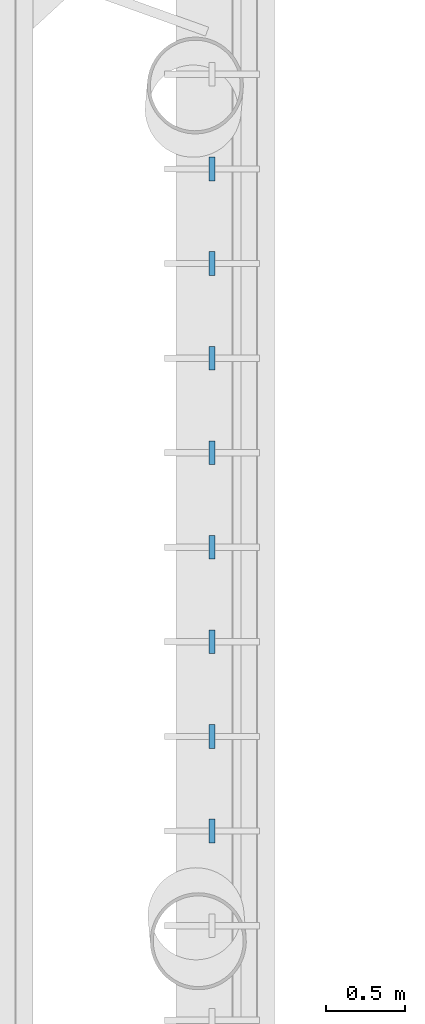
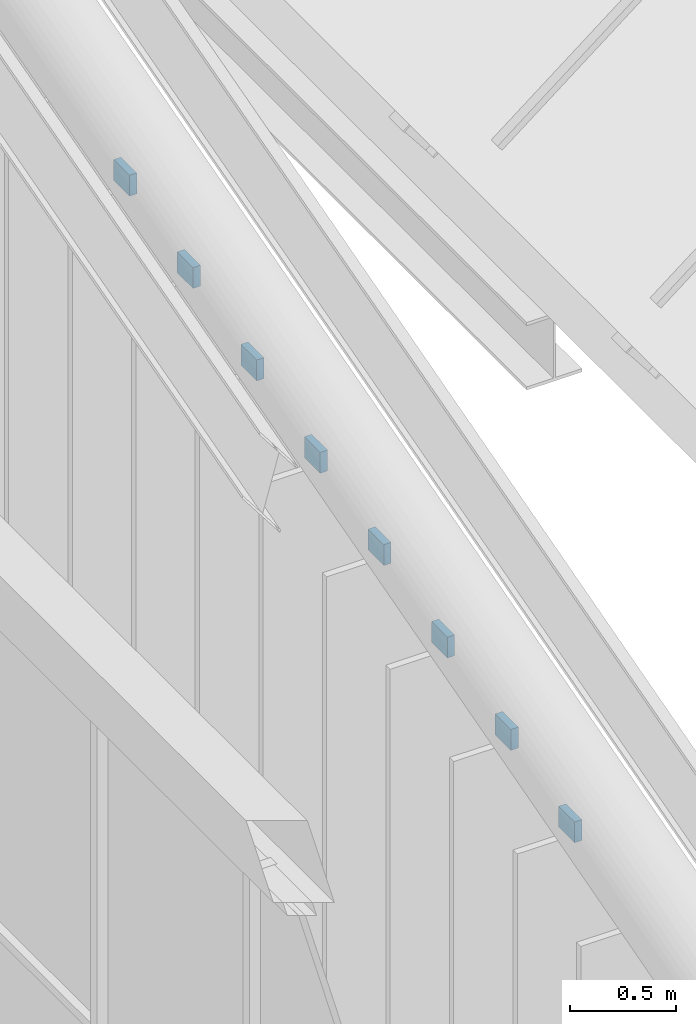
# One storey, part 93 of 126: 8 discrete accessories.
"""IFC4 building model written with IfcOpenShell, lengths in metres."""

import ifcopenshell
import ifcopenshell.guid

model = None  # the IFC model being written
_history = None  # IfcOwnerHistory: only IFC2X3 demands one
_inside = {}  # id of a spatial element -> (the spatial element, [elements in it])
_under = {}  # id of a project, library or spatial element -> (it, [spatial elements below it])
_declared = {}  # id of a project -> (the project, [libraries it declares])
_typed = {}  # id of a type object -> (the type object, [elements of that type])
_made_of = {}  # id of a material, layer set ... -> (it, [elements and type objects made of it])


def new_model(schema):
    """Start an empty IFC model of exactly this schema.

    Asked for "IFC4X3", IfcOpenShell would pick the latest addendum, in which some entities
    have other attributes; the version numbers below select the first issue.
    IFC2X3 requires an IfcOwnerHistory on every rooted entity: one is made here for all.
    """
    global model, _history
    if schema == "IFC4X3":
        model = ifcopenshell.file(schema_version=(4, 3, 0, 0))
    else:
        model = ifcopenshell.file(schema=schema)
    _inside.clear()
    _under.clear()
    _declared.clear()
    _typed.clear()
    _made_of.clear()
    _history = None
    if model.schema == "IFC2X3":
        org = make("IfcOrganization", Name="unknown")
        user = make(
            "IfcPersonAndOrganization",
            ThePerson=make("IfcPerson", FamilyName="unknown"),
            TheOrganization=org,
        )
        app = make(
            "IfcApplication",
            ApplicationDeveloper=org,
            Version="unknown",
            ApplicationFullName="unknown",
            ApplicationIdentifier="unknown",
        )
        _history = make(
            "IfcOwnerHistory",
            OwningUser=user,
            OwningApplication=app,
            ChangeAction="ADDED",
            CreationDate=0,
        )
    return model


def make(cls, **values):
    """One entity of the class cls with the attributes given. An attribute that is None is left unset."""
    return model.create_entity(
        cls, **{name: value for name, value in values.items() if value is not None}
    )


def rooted(cls, **values):
    """An entity with a GlobalId (a new one), such as an element, a storey or a relation."""
    return make(cls, GlobalId=ifcopenshell.guid.new(), OwnerHistory=_history, **values)


def si_unit(unit_type, name, prefix=None):
    """IfcSIUnit, for example si_unit("LENGTHUNIT", "METRE", prefix="MILLI")."""
    return make("IfcSIUnit", UnitType=unit_type, Prefix=prefix, Name=name)


def assignment(units):
    """IfcUnitAssignment: the units of a project."""
    return None if units is None else make("IfcUnitAssignment", Units=units)


def point(xyz):
    """IfcCartesianPoint."""
    return None if xyz is None else make("IfcCartesianPoint", Coordinates=xyz)


def direction(xyz):
    """IfcDirection."""
    return None if xyz is None else make("IfcDirection", DirectionRatios=xyz)


def frame(location, z_axis=None, x_axis=None):
    """IfcAxis2Placement3D, a coordinate frame: its origin and axes. An axis left out is left unset."""
    return make(
        "IfcAxis2Placement3D",
        Location=point(location),
        Axis=direction(z_axis),
        RefDirection=direction(x_axis),
    )


def frame_2d(location, x_axis=None):
    """IfcAxis2Placement2D, a coordinate frame in the plane: its origin and x axis."""
    return make(
        "IfcAxis2Placement2D", Location=point(location), RefDirection=direction(x_axis)
    )


def origin():
    """The frame at (0, 0, 0) with its axes left unset."""
    return frame((0.0, 0.0, 0.0))


def origin_2d():
    """The frame at (0, 0) in the plane with its x axis left unset."""
    return frame_2d((0.0, 0.0))


def place(relative_to, where):
    """IfcLocalPlacement: puts the frame where relative to a parent placement (None: the world)."""
    return make(
        "IfcLocalPlacement", PlacementRelTo=relative_to, RelativePlacement=where
    )


def context(
    kind, dimensions, precision=None, world=None, true_north=None, identifier=None
):
    """IfcGeometricRepresentationContext, for example the 3D "Model" context."""
    return make(
        "IfcGeometricRepresentationContext",
        ContextIdentifier=identifier,
        ContextType=kind,
        CoordinateSpaceDimension=dimensions,
        Precision=precision,
        WorldCoordinateSystem=world,
        TrueNorth=true_north,
    )


def subcontext(parent, identifier, kind, view, scale=None):
    """IfcGeometricRepresentationSubContext, for example "Body" below "Model"."""
    return make(
        "IfcGeometricRepresentationSubContext",
        ContextIdentifier=identifier,
        ContextType=kind,
        ParentContext=parent,
        TargetScale=scale,
        TargetView=view,
    )


def project(units=None, contexts=None):
    """IfcProject with its units and contexts."""
    return rooted(
        "IfcProject",
        Name="project",
        RepresentationContexts=contexts,
        UnitsInContext=assignment(units),
    )


def spatial(cls, under=None, at=None, **own):
    """A site, building, storey or space (cls), placed at a placement, below another one or the project."""
    s = rooted(cls, ObjectPlacement=at, **own)
    if under is not None:
        _under.setdefault(under.id(), (under, []))[1].append(s)
    return s


def profile(cls, at=None, kind="AREA", **sizes):
    """A parametric profile (cls). Its sizes go by their IFC names, for example OverallWidth=200.0."""
    return make(cls, ProfileType=kind, Position=at, **sizes)


def rectangle(**sizes):
    """IfcRectangleProfileDef."""
    return profile("IfcRectangleProfileDef", **sizes)


def extrude(swept, where, along, depth):
    """IfcExtrudedAreaSolid: the profile swept, set in the frame where, extruded along a direction by depth."""
    return make(
        "IfcExtrudedAreaSolid",
        SweptArea=swept,
        Position=where,
        ExtrudedDirection=direction(along),
        Depth=depth,
    )


def shape(context_of_items, identifier, shape_type, items):
    """IfcShapeRepresentation: the items that make up one representation, for example the "Body"."""
    return make(
        "IfcShapeRepresentation",
        ContextOfItems=context_of_items,
        RepresentationIdentifier=identifier,
        RepresentationType=shape_type,
        Items=items,
    )


def material(Name=None, Category=None):
    """IfcMaterial."""
    return make("IfcMaterial", Name=Name, Category=Category)


def layer(
    of_material, thickness, ventilated=None, Name=None, Category=None, Priority=None
):
    """IfcMaterialLayer: one layer of a wall or slab, of a material (None: an air gap)."""
    return make(
        "IfcMaterialLayer",
        Material=of_material,
        LayerThickness=thickness,
        IsVentilated=ventilated,
        Name=Name,
        Category=Category,
        Priority=Priority,
    )


def layer_set(layers, Name=None):
    """IfcMaterialLayerSet."""
    return make("IfcMaterialLayerSet", MaterialLayers=layers, LayerSetName=Name)


def made_of(thing, what):
    """Note that an element or type object is made of a material, layer set ...; save() writes the relation."""
    if what is not None:
        _made_of.setdefault(what.id(), (what, []))[1].append(thing)
    return thing


def type_object(cls, material=None, **own):
    """A type object (cls), such as IfcWallType, which elements share."""
    return made_of(rooted(cls, **own), material)


def element(
    cls,
    number,
    at=None,
    inside=None,
    cuts=None,
    type_object=None,
    material=None,
    context=None,
    identifier="Body",
    shape_type=None,
    held_by="IfcProductDefinitionShape",
    body=None,
    shapes=None,
    **own,
):
    """One element of the class cls, such as IfcWall. Its Tag is "e" and its number.

    at: its placement. inside: the storey or other place that contains it. cuts: it is an
    opening in that element (IfcRelVoidsElement). A single representation is given by context,
    identifier, shape_type and body (its items); several are given by shapes. held_by: the class
    of the entity that holds the representations. save() writes the other relations.
    """
    e = rooted(cls, Tag="e%d" % number, ObjectPlacement=at, **own)
    if body is not None:
        shapes = [shape(context, identifier, shape_type, body)]
    if shapes is not None:
        e.Representation = make(held_by, Representations=shapes)
    if inside is not None:
        _inside.setdefault(inside.id(), (inside, []))[1].append(e)
    if cuts is not None:
        rooted(
            "IfcRelVoidsElement", RelatingBuildingElement=cuts, RelatedOpeningElement=e
        )
    if type_object is not None:
        _typed.setdefault(type_object.id(), (type_object, []))[1].append(e)
    return made_of(e, material)


def aggregate(whole, parts):
    """IfcRelAggregates: a whole, such as a stair, and the parts it consists of."""
    return rooted("IfcRelAggregates", RelatingObject=whole, RelatedObjects=parts)


def save(model, path):
    """Write the relations noted so far, then the file.

    IfcRelAggregates (storeys below a building ...), IfcRelContainedInSpatialStructure (elements
    in a storey), IfcRelDefinesByType, IfcRelAssociatesMaterial and IfcRelDeclares: one each for
    every whole, place, type object, material and project.
    """
    for whole, parts in _under.values():
        aggregate(whole, parts)
    for where, things in _inside.values():
        rooted(
            "IfcRelContainedInSpatialStructure",
            RelatedElements=things,
            RelatingStructure=where,
        )
    for kind, things in _typed.values():
        rooted("IfcRelDefinesByType", RelatedObjects=things, RelatingType=kind)
    for what, things in _made_of.values():
        rooted("IfcRelAssociatesMaterial", RelatedObjects=things, RelatingMaterial=what)
    for by, libraries in _declared.values():
        rooted("IfcRelDeclares", RelatingContext=by, RelatedDefinitions=libraries)
    model.write(path)


model = new_model("IFC4")

# Units and contexts
model_context = context("Model", 3, precision=1e-05, world=origin(), true_north=direction((0.0, 1.0)))
body_context = subcontext(model_context, "Body", "Model", "MODEL_VIEW")
ifc_project = project(units=[si_unit("LENGTHUNIT", "METRE"), si_unit("AREAUNIT", "SQUARE_METRE"), si_unit("VOLUMEUNIT", "CUBIC_METRE"), si_unit("PLANEANGLEUNIT", "RADIAN"), si_unit("MASSUNIT", "GRAM", prefix="KILO")], contexts=[model_context])

# Site, building, storey
site_placement = place(None, origin())
site = spatial("IfcSite", under=ifc_project, at=site_placement, CompositionType="ELEMENT")
building_placement = place(site_placement, origin())
building = spatial("IfcBuilding", under=site, at=building_placement, Name="Sava Quay Ferry Terminal", CompositionType="ELEMENT")
storey_placement = place(building_placement, frame((0.0, 0.0, 15.0)))
storey = spatial("IfcBuildingStorey", under=building, at=storey_placement, Name="L03", CompositionType="ELEMENT", Elevation=15.0)

# Discrete accessories
ifc_material = material(Name="Steel S355 galvanised", Category="steel")
ifc_layer = layer(ifc_material, 0.0400390625)
ifc_layer_set = layer_set([ifc_layer], Name="Steel S355 galvanised")
discrete_accessory_type = type_object("IfcDiscreteAccessoryType", Name="Blade bracket flat 40x150", PredefinedType="BRACKET", material=ifc_layer_set)
for number, where, z_axis, x_axis, name in (
    (1, (84.0, 52.5, 8.640625), (0.0, 0.0, 1.0), (1.0, 0.0, 0.0), "Blade bracket D-E 4"),
    (2, (84.0, 53.10009765625, 8.80908203125), (0.0, 0.0, 1.0), (1.0, 0.0, 0.0), "Blade bracket D-E 5"),
    (3, (84.0, 53.699951171875, 8.977294921875), (0.0, 0.0, 1.0), (1.0, 0.0, 0.0), "Blade bracket D-E 6"),
    (4, (84.0, 54.300048828125, 9.145751953125), (0.0, 0.0, 1.0), (1.0, 0.0, 0.0), "Blade bracket D-E 7"),
    (5, (84.0, 54.89990234375, 9.314208984375), (0.0, 0.0, 1.0), (1.0, 0.0, 0.0), "Blade bracket D-E 8"),
    (6, (84.0, 55.5, 9.482421875), (0.0, 0.0, 1.0), (1.0, 0.0, 0.0), "Blade bracket D-E 9"),
    (7, (84.0, 56.10009765625, 9.65087890625), (0.0, 0.0, 1.0), (1.0, 0.0, 0.0), "Blade bracket D-E 10"),
    (8, (84.0, 56.699951171875, 9.819091796875), (0.0, 0.0, 1.0), (1.0, 0.0, 0.0), "Blade bracket D-E 11"),
):
    element("IfcDiscreteAccessory", number, at=place(storey_placement, frame(where, z_axis=z_axis, x_axis=x_axis)), inside=storey, type_object=discrete_accessory_type, Name=name, PredefinedType="BRACKET", context=body_context, shape_type="SweptSolid", body=[
        extrude(rectangle(XDim=0.0400390625, YDim=0.14990234375, at=origin_2d()), origin(), (0.0, 0.0, 1.0), 0.1201171875),
    ])

save(model, "model.ifc")
